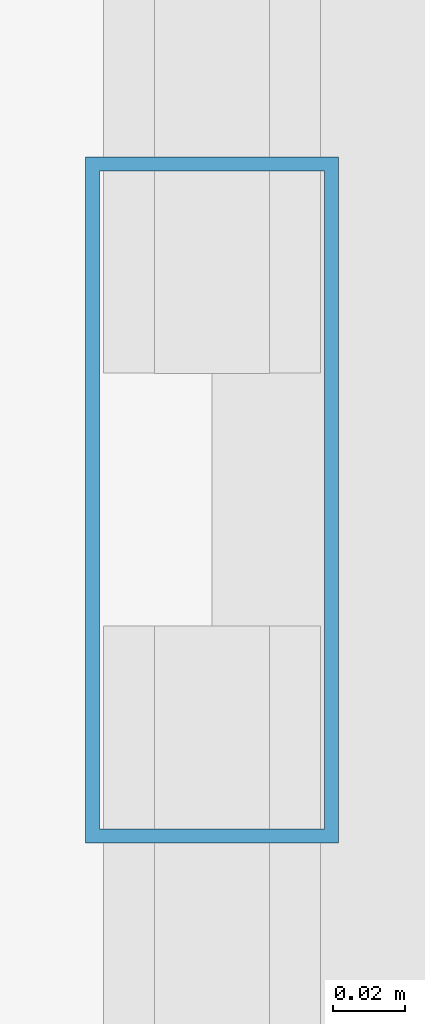
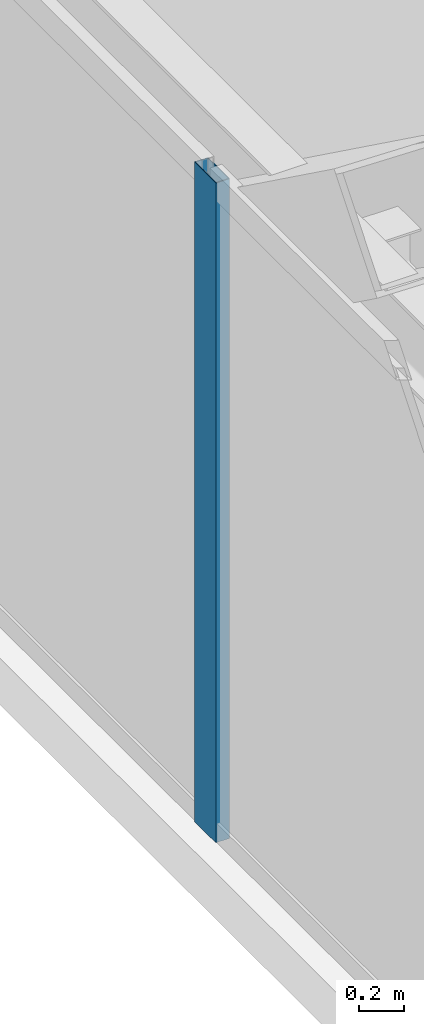
# One storey, part 11 of 37: 1 member, 1 element without a shape of its own.
"""IFC4 building model written with IfcOpenShell, lengths in metres."""

import ifcopenshell
import ifcopenshell.guid

model = None  # the IFC model being written
_history = None  # IfcOwnerHistory: only IFC2X3 demands one
_inside = {}  # id of a spatial element -> (the spatial element, [elements in it])
_under = {}  # id of a project, library or spatial element -> (it, [spatial elements below it])
_declared = {}  # id of a project -> (the project, [libraries it declares])
_typed = {}  # id of a type object -> (the type object, [elements of that type])
_made_of = {}  # id of a material, layer set ... -> (it, [elements and type objects made of it])


def new_model(schema):
    """Start an empty IFC model of exactly this schema.

    Asked for "IFC4X3", IfcOpenShell would pick the latest addendum, in which some entities
    have other attributes; the version numbers below select the first issue.
    IFC2X3 requires an IfcOwnerHistory on every rooted entity: one is made here for all.
    """
    global model, _history
    if schema == "IFC4X3":
        model = ifcopenshell.file(schema_version=(4, 3, 0, 0))
    else:
        model = ifcopenshell.file(schema=schema)
    _inside.clear()
    _under.clear()
    _declared.clear()
    _typed.clear()
    _made_of.clear()
    _history = None
    if model.schema == "IFC2X3":
        org = make("IfcOrganization", Name="unknown")
        user = make(
            "IfcPersonAndOrganization",
            ThePerson=make("IfcPerson", FamilyName="unknown"),
            TheOrganization=org,
        )
        app = make(
            "IfcApplication",
            ApplicationDeveloper=org,
            Version="unknown",
            ApplicationFullName="unknown",
            ApplicationIdentifier="unknown",
        )
        _history = make(
            "IfcOwnerHistory",
            OwningUser=user,
            OwningApplication=app,
            ChangeAction="ADDED",
            CreationDate=0,
        )
    return model


def make(cls, **values):
    """One entity of the class cls with the attributes given. An attribute that is None is left unset."""
    return model.create_entity(
        cls, **{name: value for name, value in values.items() if value is not None}
    )


def rooted(cls, **values):
    """An entity with a GlobalId (a new one), such as an element, a storey or a relation."""
    return make(cls, GlobalId=ifcopenshell.guid.new(), OwnerHistory=_history, **values)


def si_unit(unit_type, name, prefix=None):
    """IfcSIUnit, for example si_unit("LENGTHUNIT", "METRE", prefix="MILLI")."""
    return make("IfcSIUnit", UnitType=unit_type, Prefix=prefix, Name=name)


def assignment(units):
    """IfcUnitAssignment: the units of a project."""
    return None if units is None else make("IfcUnitAssignment", Units=units)


def point(xyz):
    """IfcCartesianPoint."""
    return None if xyz is None else make("IfcCartesianPoint", Coordinates=xyz)


def direction(xyz):
    """IfcDirection."""
    return None if xyz is None else make("IfcDirection", DirectionRatios=xyz)


def frame(location, z_axis=None, x_axis=None):
    """IfcAxis2Placement3D, a coordinate frame: its origin and axes. An axis left out is left unset."""
    return make(
        "IfcAxis2Placement3D",
        Location=point(location),
        Axis=direction(z_axis),
        RefDirection=direction(x_axis),
    )


def frame_2d(location, x_axis=None):
    """IfcAxis2Placement2D, a coordinate frame in the plane: its origin and x axis."""
    return make(
        "IfcAxis2Placement2D", Location=point(location), RefDirection=direction(x_axis)
    )


def origin():
    """The frame at (0, 0, 0) with its axes left unset."""
    return frame((0.0, 0.0, 0.0))


def origin_2d():
    """The frame at (0, 0) in the plane with its x axis left unset."""
    return frame_2d((0.0, 0.0))


def place(relative_to, where):
    """IfcLocalPlacement: puts the frame where relative to a parent placement (None: the world)."""
    return make(
        "IfcLocalPlacement", PlacementRelTo=relative_to, RelativePlacement=where
    )


def context(
    kind, dimensions, precision=None, world=None, true_north=None, identifier=None
):
    """IfcGeometricRepresentationContext, for example the 3D "Model" context."""
    return make(
        "IfcGeometricRepresentationContext",
        ContextIdentifier=identifier,
        ContextType=kind,
        CoordinateSpaceDimension=dimensions,
        Precision=precision,
        WorldCoordinateSystem=world,
        TrueNorth=true_north,
    )


def subcontext(parent, identifier, kind, view, scale=None):
    """IfcGeometricRepresentationSubContext, for example "Body" below "Model"."""
    return make(
        "IfcGeometricRepresentationSubContext",
        ContextIdentifier=identifier,
        ContextType=kind,
        ParentContext=parent,
        TargetScale=scale,
        TargetView=view,
    )


def project(units=None, contexts=None):
    """IfcProject with its units and contexts."""
    return rooted(
        "IfcProject",
        Name="project",
        RepresentationContexts=contexts,
        UnitsInContext=assignment(units),
    )


def spatial(cls, under=None, at=None, **own):
    """A site, building, storey or space (cls), placed at a placement, below another one or the project."""
    s = rooted(cls, ObjectPlacement=at, **own)
    if under is not None:
        _under.setdefault(under.id(), (under, []))[1].append(s)
    return s


def profile(cls, at=None, kind="AREA", **sizes):
    """A parametric profile (cls). Its sizes go by their IFC names, for example OverallWidth=200.0."""
    return make(cls, ProfileType=kind, Position=at, **sizes)


def hollow_rectangle(**sizes):
    """IfcRectangleHollowProfileDef."""
    return profile("IfcRectangleHollowProfileDef", **sizes)


def extrude(swept, where, along, depth):
    """IfcExtrudedAreaSolid: the profile swept, set in the frame where, extruded along a direction by depth."""
    return make(
        "IfcExtrudedAreaSolid",
        SweptArea=swept,
        Position=where,
        ExtrudedDirection=direction(along),
        Depth=depth,
    )


def shape(context_of_items, identifier, shape_type, items):
    """IfcShapeRepresentation: the items that make up one representation, for example the "Body"."""
    return make(
        "IfcShapeRepresentation",
        ContextOfItems=context_of_items,
        RepresentationIdentifier=identifier,
        RepresentationType=shape_type,
        Items=items,
    )


def source(mapping_origin, context_of_items, identifier, shape_type, items):
    """IfcRepresentationMap: a shape defined once, which mapped items show again and again."""
    return make(
        "IfcRepresentationMap",
        MappingOrigin=mapping_origin,
        MappedRepresentation=shape(context_of_items, identifier, shape_type, items),
    )


def transform(
    local_origin,
    x_axis=None,
    y_axis=None,
    z_axis=None,
    scale=None,
    scale2=None,
    scale3=None,
    uniform=True,
):
    """IfcCartesianTransformationOperator3D, or its non-uniform kind. x_axis, y_axis, z_axis: its Axis1, 2, 3."""
    if uniform:
        return make(
            "IfcCartesianTransformationOperator3D",
            Axis1=direction(x_axis),
            Axis2=direction(y_axis),
            LocalOrigin=point(local_origin),
            Scale=scale,
            Axis3=direction(z_axis),
        )
    return make(
        "IfcCartesianTransformationOperator3DnonUniform",
        Axis1=direction(x_axis),
        Axis2=direction(y_axis),
        LocalOrigin=point(local_origin),
        Scale=scale,
        Axis3=direction(z_axis),
        Scale2=scale2,
        Scale3=scale3,
    )


def mapped(mapping_source, mapping_target):
    """IfcMappedItem: shows the shape of a source again, moved by a transform."""
    return make(
        "IfcMappedItem", MappingSource=mapping_source, MappingTarget=mapping_target
    )


def material(Name=None, Category=None):
    """IfcMaterial."""
    return make("IfcMaterial", Name=Name, Category=Category)


def layer(
    of_material, thickness, ventilated=None, Name=None, Category=None, Priority=None
):
    """IfcMaterialLayer: one layer of a wall or slab, of a material (None: an air gap)."""
    return make(
        "IfcMaterialLayer",
        Material=of_material,
        LayerThickness=thickness,
        IsVentilated=ventilated,
        Name=Name,
        Category=Category,
        Priority=Priority,
    )


def layer_set(layers, Name=None):
    """IfcMaterialLayerSet."""
    return make("IfcMaterialLayerSet", MaterialLayers=layers, LayerSetName=Name)


def material_profile(
    of_material, cross_section, Name=None, Category=None, Priority=None
):
    """IfcMaterialProfile: a cross section and its material."""
    return make(
        "IfcMaterialProfile",
        Name=Name,
        Material=of_material,
        Profile=cross_section,
        Priority=Priority,
        Category=Category,
    )


def profile_set(profiles, Name=None, composite=None):
    """IfcMaterialProfileSet."""
    return make(
        "IfcMaterialProfileSet",
        Name=Name,
        MaterialProfiles=profiles,
        CompositeProfile=composite,
    )


def made_of(thing, what):
    """Note that an element or type object is made of a material, layer set ...; save() writes the relation."""
    if what is not None:
        _made_of.setdefault(what.id(), (what, []))[1].append(thing)
    return thing


def type_object(cls, material=None, **own):
    """A type object (cls), such as IfcWallType, which elements share."""
    return made_of(rooted(cls, **own), material)


def type_shapes(of_type, sources):
    """Give a type object the sources (RepresentationMaps) that its elements show as mapped items."""
    of_type.RepresentationMaps = sources


def element(
    cls,
    number,
    at=None,
    inside=None,
    cuts=None,
    type_object=None,
    material=None,
    context=None,
    identifier="Body",
    shape_type=None,
    held_by="IfcProductDefinitionShape",
    body=None,
    shapes=None,
    **own,
):
    """One element of the class cls, such as IfcWall. Its Tag is "e" and its number.

    at: its placement. inside: the storey or other place that contains it. cuts: it is an
    opening in that element (IfcRelVoidsElement). A single representation is given by context,
    identifier, shape_type and body (its items); several are given by shapes. held_by: the class
    of the entity that holds the representations. save() writes the other relations.
    """
    e = rooted(cls, Tag="e%d" % number, ObjectPlacement=at, **own)
    if body is not None:
        shapes = [shape(context, identifier, shape_type, body)]
    if shapes is not None:
        e.Representation = make(held_by, Representations=shapes)
    if inside is not None:
        _inside.setdefault(inside.id(), (inside, []))[1].append(e)
    if cuts is not None:
        rooted(
            "IfcRelVoidsElement", RelatingBuildingElement=cuts, RelatedOpeningElement=e
        )
    if type_object is not None:
        _typed.setdefault(type_object.id(), (type_object, []))[1].append(e)
    return made_of(e, material)


def aggregate(whole, parts):
    """IfcRelAggregates: a whole, such as a stair, and the parts it consists of."""
    return rooted("IfcRelAggregates", RelatingObject=whole, RelatedObjects=parts)


def save(model, path):
    """Write the relations noted so far, then the file.

    IfcRelAggregates (storeys below a building ...), IfcRelContainedInSpatialStructure (elements
    in a storey), IfcRelDefinesByType, IfcRelAssociatesMaterial and IfcRelDeclares: one each for
    every whole, place, type object, material and project.
    """
    for whole, parts in _under.values():
        aggregate(whole, parts)
    for where, things in _inside.values():
        rooted(
            "IfcRelContainedInSpatialStructure",
            RelatedElements=things,
            RelatingStructure=where,
        )
    for kind, things in _typed.values():
        rooted("IfcRelDefinesByType", RelatedObjects=things, RelatingType=kind)
    for what, things in _made_of.values():
        rooted("IfcRelAssociatesMaterial", RelatedObjects=things, RelatingMaterial=what)
    for by, libraries in _declared.values():
        rooted("IfcRelDeclares", RelatingContext=by, RelatedDefinitions=libraries)
    model.write(path)


model = new_model("IFC4")

# Units and contexts
model_context = context("Model", 3, precision=1e-05, world=origin(), true_north=direction((0.0, 1.0)))
body_context = subcontext(model_context, "Body", "Model", "MODEL_VIEW")
ifc_project = project(units=[si_unit("LENGTHUNIT", "METRE"), si_unit("AREAUNIT", "SQUARE_METRE"), si_unit("VOLUMEUNIT", "CUBIC_METRE"), si_unit("PLANEANGLEUNIT", "RADIAN"), si_unit("MASSUNIT", "GRAM", prefix="KILO")], contexts=[model_context])

# Site, building, storey
site_placement = place(None, origin())
site = spatial("IfcSite", under=ifc_project, at=site_placement, CompositionType="ELEMENT")
building_placement = place(site_placement, origin())
building = spatial("IfcBuilding", under=site, at=building_placement, Name="Varnel Quay Broadcast Tower", CompositionType="ELEMENT")
storey_placement = place(building_placement, frame((0.0, 0.0, 103.0)))
storey = spatial("IfcBuildingStorey", under=building, at=storey_placement, Name="L24", CompositionType="ELEMENT", Elevation=103.0)

# Curtain wall, member
ifc_material = material(Name="Anodised Bronze Aluminium 6063-T6", Category="aluminium")
ifc_layer = layer(ifc_material, 0.18994140625, Name="Anodised Bronze Aluminium 6063-T6")
ifc_layer_set = layer_set([ifc_layer], Name="Anodised Bronze Aluminium 6063-T6")
curtain_wall_type = type_object("IfcCurtainWallType", Name="CW_LowerTower", PredefinedType="NOTDEFINED", material=ifc_layer_set)
curtain_wall_placement = place(storey_placement, origin())
curtain_wall = element("IfcCurtainWall", 1, at=curtain_wall_placement, inside=storey, type_object=curtain_wall_type, Name="L24 West Unitised Curtain Wall", PredefinedType="NOTDEFINED")
ifc_material_profile = material_profile(ifc_material, hollow_rectangle(XDim=0.070068359375, YDim=0.18994140625, WallThickness=0.00390625, at=origin_2d()), Name="ALU70X190X4")
ifc_profile_set = profile_set([ifc_material_profile], Name="Anodised Bronze Aluminium 6063-T6")
member_type = type_object("IfcMemberType", Name="Mull_CWS-02", PredefinedType="MULLION", material=ifc_profile_set)
shared_shape = source(origin(), body_context, "Body", "SweptSolid", [
    extrude(hollow_rectangle(XDim=0.070068359375, YDim=0.18994140625, WallThickness=0.00390625, at=origin_2d()), origin(), (0.0, 0.0, 1.0), 3.550048828125),
])
type_shapes(member_type, [shared_shape])
member_placement = place(storey_placement, frame((4.64990234375, 31.39990234375, 0.0), z_axis=(0.0, 0.0, 1.0), x_axis=(-1.0, 0.0, 0.0)))
member = element("IfcMember", 2, at=member_placement, type_object=member_type, Name="CWS-02 mullion 3", PredefinedType="MULLION", context=body_context, shape_type="MappedRepresentation", body=[
    mapped(shared_shape, transform((0.0, 0.0, 0.0), x_axis=(1.0, 0.0, 0.0), y_axis=(0.0, 1.0, 0.0), z_axis=(0.0, 0.0, 1.0), scale=1.0)),
])
aggregate(curtain_wall, [member])

save(model, "model.ifc")
